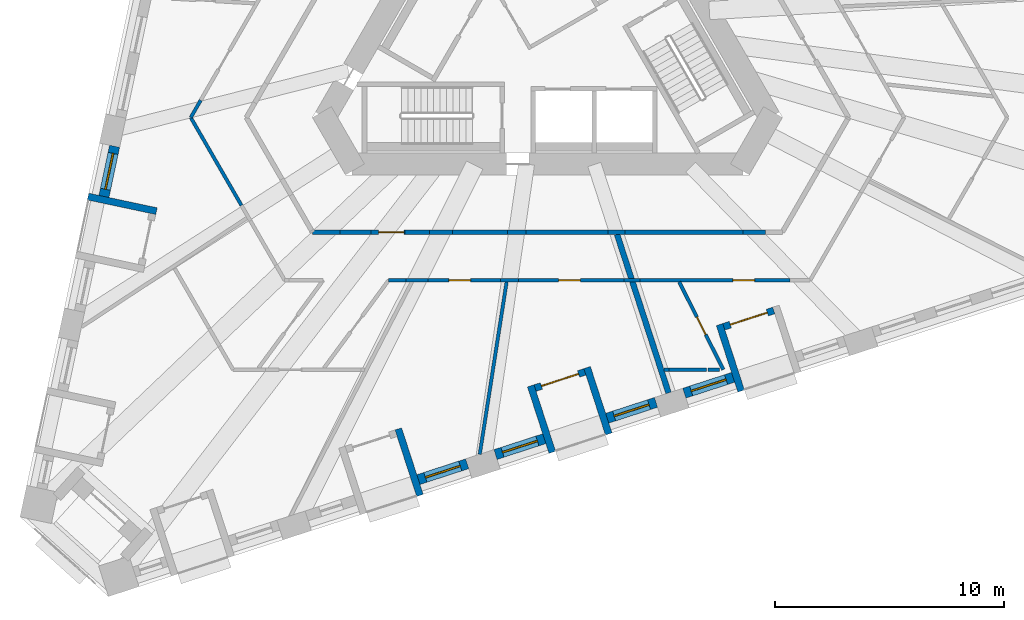
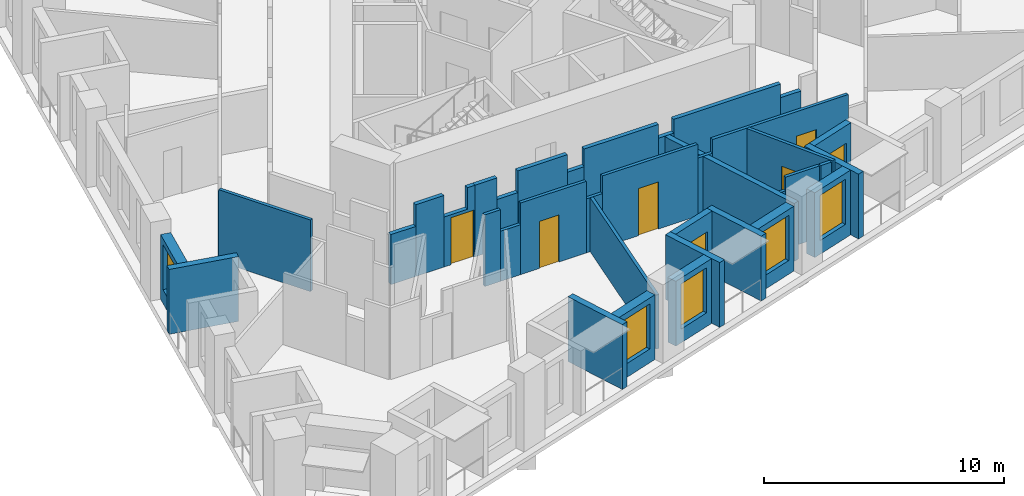
# One storey, part 3 of 12: 38 walls, 7 doors, 5 windows, 12 openings.
"""IFC4 building model written with IfcOpenShell, lengths in metres."""

import ifcopenshell
import ifcopenshell.guid

model = None  # the IFC model being written
_history = None  # IfcOwnerHistory: only IFC2X3 demands one
_inside = {}  # id of a spatial element -> (the spatial element, [elements in it])
_under = {}  # id of a project, library or spatial element -> (it, [spatial elements below it])
_declared = {}  # id of a project -> (the project, [libraries it declares])
_typed = {}  # id of a type object -> (the type object, [elements of that type])
_made_of = {}  # id of a material, layer set ... -> (it, [elements and type objects made of it])


def new_model(schema):
    """Start an empty IFC model of exactly this schema.

    Asked for "IFC4X3", IfcOpenShell would pick the latest addendum, in which some entities
    have other attributes; the version numbers below select the first issue.
    IFC2X3 requires an IfcOwnerHistory on every rooted entity: one is made here for all.
    """
    global model, _history
    if schema == "IFC4X3":
        model = ifcopenshell.file(schema_version=(4, 3, 0, 0))
    else:
        model = ifcopenshell.file(schema=schema)
    _inside.clear()
    _under.clear()
    _declared.clear()
    _typed.clear()
    _made_of.clear()
    _history = None
    if model.schema == "IFC2X3":
        org = make("IfcOrganization", Name="unknown")
        user = make(
            "IfcPersonAndOrganization",
            ThePerson=make("IfcPerson", FamilyName="unknown"),
            TheOrganization=org,
        )
        app = make(
            "IfcApplication",
            ApplicationDeveloper=org,
            Version="unknown",
            ApplicationFullName="unknown",
            ApplicationIdentifier="unknown",
        )
        _history = make(
            "IfcOwnerHistory",
            OwningUser=user,
            OwningApplication=app,
            ChangeAction="ADDED",
            CreationDate=0,
        )
    return model


def make(cls, **values):
    """One entity of the class cls with the attributes given. An attribute that is None is left unset."""
    return model.create_entity(
        cls, **{name: value for name, value in values.items() if value is not None}
    )


def rooted(cls, **values):
    """An entity with a GlobalId (a new one), such as an element, a storey or a relation."""
    return make(cls, GlobalId=ifcopenshell.guid.new(), OwnerHistory=_history, **values)


def si_unit(unit_type, name, prefix=None):
    """IfcSIUnit, for example si_unit("LENGTHUNIT", "METRE", prefix="MILLI")."""
    return make("IfcSIUnit", UnitType=unit_type, Prefix=prefix, Name=name)


def assignment(units):
    """IfcUnitAssignment: the units of a project."""
    return None if units is None else make("IfcUnitAssignment", Units=units)


def point(xyz):
    """IfcCartesianPoint."""
    return None if xyz is None else make("IfcCartesianPoint", Coordinates=xyz)


def direction(xyz):
    """IfcDirection."""
    return None if xyz is None else make("IfcDirection", DirectionRatios=xyz)


def frame(location, z_axis=None, x_axis=None):
    """IfcAxis2Placement3D, a coordinate frame: its origin and axes. An axis left out is left unset."""
    return make(
        "IfcAxis2Placement3D",
        Location=point(location),
        Axis=direction(z_axis),
        RefDirection=direction(x_axis),
    )


def frame_2d(location, x_axis=None):
    """IfcAxis2Placement2D, a coordinate frame in the plane: its origin and x axis."""
    return make(
        "IfcAxis2Placement2D", Location=point(location), RefDirection=direction(x_axis)
    )


def origin():
    """The frame at (0, 0, 0) with its axes left unset."""
    return frame((0.0, 0.0, 0.0))


def place(relative_to, where):
    """IfcLocalPlacement: puts the frame where relative to a parent placement (None: the world)."""
    return make(
        "IfcLocalPlacement", PlacementRelTo=relative_to, RelativePlacement=where
    )


def context(
    kind, dimensions, precision=None, world=None, true_north=None, identifier=None
):
    """IfcGeometricRepresentationContext, for example the 3D "Model" context."""
    return make(
        "IfcGeometricRepresentationContext",
        ContextIdentifier=identifier,
        ContextType=kind,
        CoordinateSpaceDimension=dimensions,
        Precision=precision,
        WorldCoordinateSystem=world,
        TrueNorth=true_north,
    )


def subcontext(parent, identifier, kind, view, scale=None):
    """IfcGeometricRepresentationSubContext, for example "Body" below "Model"."""
    return make(
        "IfcGeometricRepresentationSubContext",
        ContextIdentifier=identifier,
        ContextType=kind,
        ParentContext=parent,
        TargetScale=scale,
        TargetView=view,
    )


def project(units=None, contexts=None):
    """IfcProject with its units and contexts."""
    return rooted(
        "IfcProject",
        Name="project",
        RepresentationContexts=contexts,
        UnitsInContext=assignment(units),
    )


def spatial(cls, under=None, at=None, **own):
    """A site, building, storey or space (cls), placed at a placement, below another one or the project."""
    s = rooted(cls, ObjectPlacement=at, **own)
    if under is not None:
        _under.setdefault(under.id(), (under, []))[1].append(s)
    return s


def polyline(points):
    """IfcPolyline through the points."""
    return make("IfcPolyline", Points=[point(p) for p in points])


def profile(cls, at=None, kind="AREA", **sizes):
    """A parametric profile (cls). Its sizes go by their IFC names, for example OverallWidth=200.0."""
    return make(cls, ProfileType=kind, Position=at, **sizes)


def rectangle(**sizes):
    """IfcRectangleProfileDef."""
    return profile("IfcRectangleProfileDef", **sizes)


def outline(outer, holes=None, kind="AREA"):
    """IfcArbitraryClosedProfileDef: a profile drawn as a closed curve; with holes, ...WithVoids."""
    if holes is None:
        return make("IfcArbitraryClosedProfileDef", ProfileType=kind, OuterCurve=outer)
    return make(
        "IfcArbitraryProfileDefWithVoids",
        ProfileType=kind,
        OuterCurve=outer,
        InnerCurves=holes,
    )


def extrude(swept, where, along, depth):
    """IfcExtrudedAreaSolid: the profile swept, set in the frame where, extruded along a direction by depth."""
    return make(
        "IfcExtrudedAreaSolid",
        SweptArea=swept,
        Position=where,
        ExtrudedDirection=direction(along),
        Depth=depth,
    )


def shape(context_of_items, identifier, shape_type, items):
    """IfcShapeRepresentation: the items that make up one representation, for example the "Body"."""
    return make(
        "IfcShapeRepresentation",
        ContextOfItems=context_of_items,
        RepresentationIdentifier=identifier,
        RepresentationType=shape_type,
        Items=items,
    )


def material(Name=None, Category=None):
    """IfcMaterial."""
    return make("IfcMaterial", Name=Name, Category=Category)


def layer(
    of_material, thickness, ventilated=None, Name=None, Category=None, Priority=None
):
    """IfcMaterialLayer: one layer of a wall or slab, of a material (None: an air gap)."""
    return make(
        "IfcMaterialLayer",
        Material=of_material,
        LayerThickness=thickness,
        IsVentilated=ventilated,
        Name=Name,
        Category=Category,
        Priority=Priority,
    )


def layer_set(layers, Name=None):
    """IfcMaterialLayerSet."""
    return make("IfcMaterialLayerSet", MaterialLayers=layers, LayerSetName=Name)


def made_of(thing, what):
    """Note that an element or type object is made of a material, layer set ...; save() writes the relation."""
    if what is not None:
        _made_of.setdefault(what.id(), (what, []))[1].append(thing)
    return thing


def type_object(cls, material=None, **own):
    """A type object (cls), such as IfcWallType, which elements share."""
    return made_of(rooted(cls, **own), material)


def element(
    cls,
    number,
    at=None,
    inside=None,
    cuts=None,
    type_object=None,
    material=None,
    context=None,
    identifier="Body",
    shape_type=None,
    held_by="IfcProductDefinitionShape",
    body=None,
    shapes=None,
    **own,
):
    """One element of the class cls, such as IfcWall. Its Tag is "e" and its number.

    at: its placement. inside: the storey or other place that contains it. cuts: it is an
    opening in that element (IfcRelVoidsElement). A single representation is given by context,
    identifier, shape_type and body (its items); several are given by shapes. held_by: the class
    of the entity that holds the representations. save() writes the other relations.
    """
    e = rooted(cls, Tag="e%d" % number, ObjectPlacement=at, **own)
    if body is not None:
        shapes = [shape(context, identifier, shape_type, body)]
    if shapes is not None:
        e.Representation = make(held_by, Representations=shapes)
    if inside is not None:
        _inside.setdefault(inside.id(), (inside, []))[1].append(e)
    if cuts is not None:
        rooted(
            "IfcRelVoidsElement", RelatingBuildingElement=cuts, RelatedOpeningElement=e
        )
    if type_object is not None:
        _typed.setdefault(type_object.id(), (type_object, []))[1].append(e)
    return made_of(e, material)


def fill(opening, filler):
    """IfcRelFillsElement: the door or window that sits in an opening."""
    return rooted(
        "IfcRelFillsElement",
        RelatingOpeningElement=opening,
        RelatedBuildingElement=filler,
    )


def aggregate(whole, parts):
    """IfcRelAggregates: a whole, such as a stair, and the parts it consists of."""
    return rooted("IfcRelAggregates", RelatingObject=whole, RelatedObjects=parts)


def save(model, path):
    """Write the relations noted so far, then the file.

    IfcRelAggregates (storeys below a building ...), IfcRelContainedInSpatialStructure (elements
    in a storey), IfcRelDefinesByType, IfcRelAssociatesMaterial and IfcRelDeclares: one each for
    every whole, place, type object, material and project.
    """
    for whole, parts in _under.values():
        aggregate(whole, parts)
    for where, things in _inside.values():
        rooted(
            "IfcRelContainedInSpatialStructure",
            RelatedElements=things,
            RelatingStructure=where,
        )
    for kind, things in _typed.values():
        rooted("IfcRelDefinesByType", RelatedObjects=things, RelatingType=kind)
    for what, things in _made_of.values():
        rooted("IfcRelAssociatesMaterial", RelatedObjects=things, RelatingMaterial=what)
    for by, libraries in _declared.values():
        rooted("IfcRelDeclares", RelatingContext=by, RelatedDefinitions=libraries)
    model.write(path)


model = new_model("IFC4")

# Units and contexts
model_context = context("Model", 3, precision=1e-05, world=origin(), true_north=direction((0.0, 1.0)))
body_context = subcontext(model_context, "Body", "Model", "MODEL_VIEW")
ifc_project = project(units=[si_unit("LENGTHUNIT", "METRE"), si_unit("AREAUNIT", "SQUARE_METRE"), si_unit("VOLUMEUNIT", "CUBIC_METRE"), si_unit("PLANEANGLEUNIT", "RADIAN"), si_unit("MASSUNIT", "GRAM", prefix="KILO")], contexts=[model_context])

# Site, building, storey
site_placement = place(None, origin())
site = spatial("IfcSite", under=ifc_project, at=site_placement, CompositionType="ELEMENT")
building_placement = place(site_placement, origin())
building = spatial("IfcBuilding", under=site, at=building_placement, Name="Tramontana Tower", CompositionType="ELEMENT")
storey_placement = place(building_placement, frame((0.0, 0.0, 92.39990234375)))
storey = spatial("IfcBuildingStorey", under=building, at=storey_placement, Name="L20", CompositionType="ELEMENT", Elevation=92.39990234375)

# Walls
ifc_material_1 = material(Name="Blockwork", Category="masonry")
ifc_layer_1 = layer(ifc_material_1, 0.199951171875)
ifc_layer_set_1 = layer_set([ifc_layer_1], Name="ENTRY WALL 200")
wall_type_1 = type_object("IfcWallType", Name="ENTRY WALL 200", PredefinedType="SOLIDWALL", material=ifc_layer_set_1)
wall_1_placement = place(storey_placement, frame((9.50439453125, -9.25, 0.0), z_axis=(0.0, 0.0, 1.0), x_axis=(-1.0, 0.0, 0.0)))
element("IfcWall", 1, at=wall_1_placement, inside=storey, type_object=wall_type_1, Name="Wall v20-ew2-1", PredefinedType="SOLIDWALL", context=body_context, shape_type="SweptSolid", body=[
    extrude(rectangle(XDim=0.9775390625, YDim=0.199951171875, at=frame_2d((0.48876953125, 0.0))), origin(), (0.0, 0.0, 1.0), 2.9501953125),
])
wall_2_placement = place(storey_placement, frame((8.52685546875, -9.25, 0.0), z_axis=(0.0, 0.0, 1.0), x_axis=(-1.0, 0.0, 0.0)))
element("IfcWall", 2, at=wall_2_placement, inside=storey, type_object=wall_type_1, Name="Wall v20-ew2-2", PredefinedType="SOLIDWALL", context=body_context, shape_type="SweptSolid", body=[
    extrude(rectangle(XDim=5.1533203125, YDim=0.199951171875, at=frame_2d((2.57666015625, 0.0))), origin(), (0.0, 0.0, 1.0), 3.650146484375),
])
wall_3_placement = place(storey_placement, frame((3.37353515625, -9.25, 0.0), z_axis=(0.0, 0.0, 1.0), x_axis=(-1.0, 0.0, 0.0)))
element("IfcWall", 3, at=wall_3_placement, inside=storey, type_object=wall_type_1, Name="Wall v20-ew2-3", PredefinedType="SOLIDWALL", context=body_context, shape_type="SweptSolid", body=[
    extrude(rectangle(XDim=0.736083984375, YDim=0.199951171875, at=frame_2d((0.3681640625, 0.0))), origin(), (0.0, 0.0, 1.0), 2.9501953125),
])
wall_4_placement = place(storey_placement, frame((2.637451171875, -9.25, 0.0), z_axis=(0.0, 0.0, 1.0), x_axis=(-1.0, 0.0, 0.0)))
element("IfcWall", 4, at=wall_4_placement, inside=storey, type_object=wall_type_1, Name="Wall v20-ew2-4", PredefinedType="SOLIDWALL", context=body_context, shape_type="SweptSolid", body=[
    extrude(rectangle(XDim=3.576904296875, YDim=0.199951171875, at=frame_2d((1.78857421875, 0.0))), origin(), (0.0, 0.0, 1.0), 3.650146484375),
])
wall_5_placement = place(storey_placement, frame((-0.939453125, -9.25, 0.0), z_axis=(0.0, 0.0, 1.0), x_axis=(-1.0, 0.0, 0.0)))
element("IfcWall", 5, at=wall_5_placement, inside=storey, type_object=wall_type_1, Name="Wall v20-ew2-5", PredefinedType="SOLIDWALL", context=body_context, shape_type="SweptSolid", body=[
    extrude(rectangle(XDim=0.808349609375, YDim=0.199951171875, at=frame_2d((0.404296875, 0.0))), origin(), (0.0, 0.0, 1.0), 2.75),
])
wall_6_placement = place(storey_placement, frame((-1.747802734375, -9.25, 0.0), z_axis=(0.0, 0.0, 1.0), x_axis=(-1.0, 0.0, 0.0)))
element("IfcWall", 6, at=wall_6_placement, inside=storey, type_object=wall_type_1, Name="Wall v20-ew2-6", PredefinedType="SOLIDWALL", context=body_context, shape_type="SweptSolid", body=[
    extrude(rectangle(XDim=2.385498046875, YDim=0.199951171875, at=frame_2d((1.19287109375, 0.0))), origin(), (0.0, 0.0, 1.0), 3.650146484375),
])
wall_7_placement = place(storey_placement, frame((-4.13330078125, -9.25, 0.0), z_axis=(0.0, 0.0, 1.0), x_axis=(-1.0, 0.0, 0.0)))
element("IfcWall", 7, at=wall_7_placement, inside=storey, type_object=wall_type_1, Name="Wall v20-ew2-7", PredefinedType="SOLIDWALL", context=body_context, shape_type="SweptSolid", body=[
    extrude(rectangle(XDim=1.0068359375, YDim=0.199951171875, at=frame_2d((0.50341796875, 0.0))), origin(), (0.0, 0.0, 1.0), 2.550048828125),
])
wall_8_placement = place(storey_placement, frame((-5.14013671875, -9.25, 0.0), z_axis=(0.0, 0.0, 1.0), x_axis=(-1.0, 0.0, 0.0)))
element("IfcWall", 8, at=wall_8_placement, inside=storey, type_object=wall_type_1, Name="Wall v20-ew2-8", PredefinedType="SOLIDWALL", context=body_context, shape_type="SweptSolid", body=[
    extrude(rectangle(XDim=1.069580078125, YDim=0.199951171875, at=frame_2d((0.53466796875, 0.0))), origin(), (0.0, 0.0, 1.0), 3.650146484375),
])

# Wall, opening, door
wall_9_placement = place(storey_placement, frame((-7.695556640625, -9.25, 0.0), z_axis=(0.0, 0.0, 1.0), x_axis=(1.0, 0.0, 0.0)))
wall_9 = element("IfcWall", 9, at=wall_9_placement, inside=storey, type_object=wall_type_1, Name="Wall v20-ew2-9", PredefinedType="SOLIDWALL", context=body_context, shape_type="SweptSolid", body=[
    extrude(outline(polyline([(0.0, 0.0), (1.48583984375, 0.0), (1.48583984375, 3.650146484375), (1.13623046875, 3.650146484375), (1.13623046875, 2.550048828125), (0.0, 2.550048828125), (0.0, 0.0)])), frame((0.0, 0.10009765625, 0.0), z_axis=(0.0, -1.0, 0.0), x_axis=(1.0, 0.0, 0.0)), (0.0, 0.0, 1.0), 0.199951171875),
])
opening_1_placement = place(wall_9_placement, frame((0.3359375, 0.0, 0.0)))
opening_1 = element("IfcOpeningElement", 10, at=opening_1_placement, cuts=wall_9, Name="Opening B2A-23", PredefinedType="OPENING", context=body_context, shape_type="SweptSolid", body=[
    extrude(rectangle(XDim=1.10009765625, YDim=2.39990234375, at=frame_2d((0.550048828125, 1.199951171875))), frame((0.0, 0.10986328125, 0.0), z_axis=(0.0, -1.0, 0.0), x_axis=(1.0, 0.0, 0.0)), (0.0, 0.0, 1.0), 0.219970703125),
])
ifc_material_2 = material(Name="Painted timber", Category="wood")
door_type_1 = type_object("IfcDoorType", Name="DOOR ENTRY 1100", OperationType="SINGLE_SWING_LEFT", PredefinedType="DOOR", material=ifc_material_2)
door_1_placement = place(opening_1_placement, origin())
door_1 = element("IfcDoor", 11, at=door_1_placement, inside=storey, type_object=door_type_1, Name="Door B2A-23", OperationType="SINGLE_SWING_LEFT", OverallHeight=2.39990234375, OverallWidth=1.10009765625, PredefinedType="DOOR", context=body_context, shape_type="SweptSolid", body=[
    extrude(rectangle(XDim=1.10009765625, YDim=2.39990234375, at=frame_2d((0.550048828125, 1.199951171875))), frame((0.0, 0.02490234375, 0.0), z_axis=(0.0, -1.0, 0.0), x_axis=(1.0, 0.0, 0.0)), (0.0, 0.0, 1.0), 0.050048828125),
])
fill(opening_1, door_1)

# Walls
wall_10_placement = place(storey_placement, frame((-7.695556640625, -9.25, 0.0), z_axis=(0.0, 0.0, 1.0), x_axis=(-1.0, 0.0, 0.0)))
element("IfcWall", 12, at=wall_10_placement, inside=storey, type_object=wall_type_1, Name="Wall v20-ew2-10", PredefinedType="SOLIDWALL", context=body_context, shape_type="SweptSolid", body=[
    extrude(rectangle(XDim=1.3603515625, YDim=0.199951171875, at=frame_2d((0.68017578125, 0.0))), origin(), (0.0, 0.0, 1.0), 3.650146484375),
])
wall_11_placement = place(storey_placement, frame((-9.055908203125, -9.25, 0.0), z_axis=(0.0, 0.0, 1.0), x_axis=(-1.0, 0.0, 0.0)))
element("IfcWall", 13, at=wall_11_placement, inside=storey, type_object=wall_type_1, Name="Wall v20-ew2-11", PredefinedType="SOLIDWALL", context=body_context, shape_type="SweptSolid", body=[
    extrude(rectangle(XDim=1.192138671875, YDim=0.199951171875, at=frame_2d((0.59619140625, 0.0))), origin(), (0.0, 0.0, 1.0), 2.550048828125),
])

# Wall, opening, window
ifc_material_3 = material(Name="Precast concrete 60 MPa", Category="concrete")
ifc_layer_2 = layer(ifc_material_3, 0.449951171875)
ifc_layer_set_2 = layer_set([ifc_layer_2], Name="Precast concrete 60 MPa, 450 mm")
wall_type_2 = type_object("IfcWallType", Name="EW1 Stone-faced precast wall 450", PredefinedType="SOLIDWALL", material=ifc_layer_set_2)
wall_12_placement = place(storey_placement, frame((-18.882080078125, -5.504638671875, 0.0), z_axis=(0.0, 0.0, 1.0), x_axis=(-0.207918801611, -0.978146089261, 0.0)))
wall_12 = element("IfcWall", 14, at=wall_12_placement, inside=storey, type_object=wall_type_2, Name="External wall L20 face 0 bay 5", PredefinedType="SOLIDWALL", context=body_context, shape_type="SweptSolid", body=[
    extrude(rectangle(XDim=2.23681640625, YDim=0.449951171875, at=frame_2d((1.118408203125, 0.0))), origin(), (0.0, 0.0, 1.0), 3.300048828125),
])
opening_2_placement = place(wall_12_placement, frame((0.318359375, 0.0, 0.699951171875)))
opening_2 = element("IfcOpeningElement", 15, at=opening_2_placement, cuts=wall_12, Name="Opening M1", PredefinedType="OPENING", context=body_context, shape_type="SweptSolid", body=[
    extrude(rectangle(XDim=1.60009765625, YDim=2.300048828125, at=frame_2d((0.800048828125, 1.14990234375))), frame((0.0, 0.23486328125, 0.0), z_axis=(0.0, -1.0, 0.0), x_axis=(1.0, 0.0, 0.0)), (0.0, 0.0, 1.0), 0.469970703125),
])
ifc_material_4 = material(Name="Aluminum frame, double glazing unit", Category="aluminium")
window_type = type_object("IfcWindowType", Name="M1 Window 1.6 x 2.3", PartitioningType="SINGLE_PANEL", PredefinedType="WINDOW", material=ifc_material_4)
window_1_placement = place(opening_2_placement, origin())
window_1 = element("IfcWindow", 16, at=window_1_placement, inside=storey, type_object=window_type, Name="Window M1 L20 face 0 module 13", OverallHeight=2.300048828125, OverallWidth=1.60009765625, PartitioningType="SINGLE_PANEL", PredefinedType="WINDOW", context=body_context, shape_type="SweptSolid", body=[
    extrude(rectangle(XDim=1.60009765625, YDim=2.300048828125, at=frame_2d((0.800048828125, 1.14990234375))), frame((0.0, 0.030029296875, 0.0), z_axis=(0.0, -1.0, 0.0), x_axis=(1.0, 0.0, 0.0)), (0.0, 0.0, 1.0), 0.06005859375),
])
fill(opening_2, window_1)

wall_13_placement = place(storey_placement, frame((-5.628173828125, -20.045166015625, 0.0), z_axis=(0.0, 0.0, 1.0), x_axis=(0.951057328329, 0.30901449518, 0.0)))
wall_13 = element("IfcWall", 17, at=wall_13_placement, inside=storey, type_object=wall_type_2, Name="External wall L20 face 1 bay 2", PredefinedType="SOLIDWALL", context=body_context, shape_type="SweptSolid", body=[
    extrude(rectangle(XDim=2.236572265625, YDim=0.449951171875, at=frame_2d((1.1181640625, 0.0))), origin(), (0.0, 0.0, 1.0), 3.300048828125),
])
opening_3_placement = place(wall_13_placement, frame((0.318359375, 0.0, 0.699951171875)))
opening_3 = element("IfcOpeningElement", 18, at=opening_3_placement, cuts=wall_13, Name="Opening M1", PredefinedType="OPENING", context=body_context, shape_type="SweptSolid", body=[
    extrude(rectangle(XDim=1.60009765625, YDim=2.300048828125, at=frame_2d((0.800048828125, 1.14990234375))), frame((0.0, 0.23486328125, 0.0), z_axis=(0.0, -1.0, 0.0), x_axis=(1.0, 0.0, 0.0)), (0.0, 0.0, 1.0), 0.469970703125),
])
window_2_placement = place(opening_3_placement, origin())
window_2 = element("IfcWindow", 19, at=window_2_placement, inside=storey, type_object=window_type, Name="Window M1 L20 face 1 module 6", OverallHeight=2.300048828125, OverallWidth=1.60009765625, PartitioningType="SINGLE_PANEL", PredefinedType="WINDOW", context=body_context, shape_type="SweptSolid", body=[
    extrude(rectangle(XDim=1.60009765625, YDim=2.300048828125, at=frame_2d((0.800048828125, 1.14990234375))), frame((0.0, 0.030029296875, 0.0), z_axis=(0.0, -1.0, 0.0), x_axis=(1.0, 0.0, 0.0)), (0.0, 0.0, 1.0), 0.06005859375),
])
fill(opening_3, window_2)

wall_14_placement = place(storey_placement, frame((-2.264404296875, -18.952392578125, 0.0), z_axis=(0.0, 0.0, 1.0), x_axis=(0.951057328329, 0.30901449518, 0.0)))
wall_14 = element("IfcWall", 20, at=wall_14_placement, inside=storey, type_object=wall_type_2, Name="External wall L20 face 1 bay 3", PredefinedType="SOLIDWALL", context=body_context, shape_type="SweptSolid", body=[
    extrude(rectangle(XDim=2.236572265625, YDim=0.449951171875, at=frame_2d((1.1181640625, 0.0))), origin(), (0.0, 0.0, 1.0), 3.300048828125),
])
opening_4_placement = place(wall_14_placement, frame((0.318359375, 0.0, 0.699951171875)))
opening_4 = element("IfcOpeningElement", 21, at=opening_4_placement, cuts=wall_14, Name="Opening M1", PredefinedType="OPENING", context=body_context, shape_type="SweptSolid", body=[
    extrude(rectangle(XDim=1.60009765625, YDim=2.300048828125, at=frame_2d((0.800048828125, 1.14990234375))), frame((0.0, 0.23486328125, 0.0), z_axis=(0.0, -1.0, 0.0), x_axis=(1.0, 0.0, 0.0)), (0.0, 0.0, 1.0), 0.469970703125),
])
window_3_placement = place(opening_4_placement, origin())
window_3 = element("IfcWindow", 22, at=window_3_placement, inside=storey, type_object=window_type, Name="Window M1 L20 face 1 module 7", OverallHeight=2.300048828125, OverallWidth=1.60009765625, PartitioningType="SINGLE_PANEL", PredefinedType="WINDOW", context=body_context, shape_type="SweptSolid", body=[
    extrude(rectangle(XDim=1.60009765625, YDim=2.300048828125, at=frame_2d((0.800048828125, 1.14990234375))), frame((0.0, 0.030029296875, 0.0), z_axis=(0.0, -1.0, 0.0), x_axis=(1.0, 0.0, 0.0)), (0.0, 0.0, 1.0), 0.06005859375),
])
fill(opening_4, window_3)

wall_15_placement = place(storey_placement, frame((2.608154296875, -17.369140625, 0.0), z_axis=(0.0, 0.0, 1.0), x_axis=(0.951067749801, 0.30898241906, 0.0)))
wall_15 = element("IfcWall", 23, at=wall_15_placement, inside=storey, type_object=wall_type_2, Name="External wall L20 face 1 bay 3", PredefinedType="SOLIDWALL", context=body_context, shape_type="SweptSolid", body=[
    extrude(rectangle(XDim=2.23681640625, YDim=0.449951171875, at=frame_2d((1.118408203125, 0.0))), origin(), (0.0, 0.0, 1.0), 3.300048828125),
])
opening_5_placement = place(wall_15_placement, frame((0.318359375, 0.0, 0.699951171875)))
opening_5 = element("IfcOpeningElement", 24, at=opening_5_placement, cuts=wall_15, Name="Opening M1", PredefinedType="OPENING", context=body_context, shape_type="SweptSolid", body=[
    extrude(rectangle(XDim=1.60009765625, YDim=2.300048828125, at=frame_2d((0.800048828125, 1.14990234375))), frame((0.0, 0.23486328125, 0.0), z_axis=(0.0, -1.0, 0.0), x_axis=(1.0, 0.0, 0.0)), (0.0, 0.0, 1.0), 0.469970703125),
])
window_4_placement = place(opening_5_placement, origin())
window_4 = element("IfcWindow", 25, at=window_4_placement, inside=storey, type_object=window_type, Name="Window M1 L20 face 1 module 9", OverallHeight=2.300048828125, OverallWidth=1.60009765625, PartitioningType="SINGLE_PANEL", PredefinedType="WINDOW", context=body_context, shape_type="SweptSolid", body=[
    extrude(rectangle(XDim=1.60009765625, YDim=2.300048828125, at=frame_2d((0.800048828125, 1.14990234375))), frame((0.0, 0.030029296875, 0.0), z_axis=(0.0, -1.0, 0.0), x_axis=(1.0, 0.0, 0.0)), (0.0, 0.0, 1.0), 0.06005859375),
])
fill(opening_5, window_4)

wall_16_placement = place(storey_placement, frame((5.971923828125, -16.276123046875, 0.0), z_axis=(0.0, 0.0, 1.0), x_axis=(0.951057328329, 0.30901449518, 0.0)))
wall_16 = element("IfcWall", 26, at=wall_16_placement, inside=storey, type_object=wall_type_2, Name="External wall L20 face 1 bay 4", PredefinedType="SOLIDWALL", context=body_context, shape_type="SweptSolid", body=[
    extrude(rectangle(XDim=2.236572265625, YDim=0.449951171875, at=frame_2d((1.1181640625, 0.0))), origin(), (0.0, 0.0, 1.0), 3.300048828125),
])
opening_6_placement = place(wall_16_placement, frame((0.318359375, 0.0, 0.699951171875)))
opening_6 = element("IfcOpeningElement", 27, at=opening_6_placement, cuts=wall_16, Name="Opening M1", PredefinedType="OPENING", context=body_context, shape_type="SweptSolid", body=[
    extrude(rectangle(XDim=1.60009765625, YDim=2.300048828125, at=frame_2d((0.800048828125, 1.14990234375))), frame((0.0, 0.23486328125, 0.0), z_axis=(0.0, -1.0, 0.0), x_axis=(1.0, 0.0, 0.0)), (0.0, 0.0, 1.0), 0.469970703125),
])
window_5_placement = place(opening_6_placement, origin())
window_5 = element("IfcWindow", 28, at=window_5_placement, inside=storey, type_object=window_type, Name="Window M1 L20 face 1 module 10", OverallHeight=2.300048828125, OverallWidth=1.60009765625, PartitioningType="SINGLE_PANEL", PredefinedType="WINDOW", context=body_context, shape_type="SweptSolid", body=[
    extrude(rectangle(XDim=1.60009765625, YDim=2.300048828125, at=frame_2d((0.800048828125, 1.14990234375))), frame((0.0, 0.030029296875, 0.0), z_axis=(0.0, -1.0, 0.0), x_axis=(1.0, 0.0, 0.0)), (0.0, 0.0, 1.0), 0.06005859375),
])
fill(opening_6, window_5)

# Walls
ifc_material_5 = material(Name="Precast concrete 60 MPa", Category="concrete")
ifc_layer_3 = layer(ifc_material_5, 0.300048828125)
ifc_layer_set_3 = layer_set([ifc_layer_3], Name="LW1 Stone-faced loggia wall 300")
wall_type_3 = type_object("IfcWallType", Name="LW1 Stone-faced loggia wall 300", PredefinedType="SOLIDWALL", material=ifc_layer_set_3)
for number, where, z_axis, x_axis, name in (
    (29, (-20.03857421875, -7.698974609375, 0.0), (0.0, 0.0, 1.0), (0.978154782045, -0.207877902534, 0.0), "Loggia return L20 G2S0.13a"),
    (30, (-5.562255859375, -20.733642578125, 0.0), (0.0, 0.0, 1.0), (-0.308966615996, 0.951072883748, 0.0), "Loggia return L20 G2S1.4b"),
):
    element("IfcWall", number, at=place(storey_placement, frame(where, z_axis=z_axis, x_axis=x_axis)), inside=storey, type_object=wall_type_3, Name=name, PredefinedType="SOLIDWALL", context=body_context, shape_type="SweptSolid", body=[
        extrude(rectangle(XDim=3.050048828125, YDim=0.300048828125, at=frame_2d((1.52490234375, 0.0))), origin(), (0.0, 0.0, 1.0), 3.300048828125),
    ])

# Wall, opening, door
wall_17_placement = place(storey_placement, frame((-0.53955078125, -16.05224609375, 0.0), z_axis=(0.0, 0.0, 1.0), x_axis=(0.951078776318, 0.308948476671, 0.0)))
wall_17 = element("IfcWall", 31, at=wall_17_placement, inside=storey, type_object=wall_type_3, Name="Loggia wall L20 G2S1.7", PredefinedType="SOLIDWALL", context=body_context, shape_type="SweptSolid", body=[
    extrude(rectangle(XDim=2.286865234375, YDim=0.300048828125, at=frame_2d((1.1435546875, 0.0))), origin(), (0.0, 0.0, 1.0), 3.300048828125),
])
opening_7_placement = place(wall_17_placement, frame((0.29345703125, 0.0, 0.0)))
opening_7 = element("IfcOpeningElement", 32, at=opening_7_placement, cuts=wall_17, Name="Opening BD-2S1-07", PredefinedType="OPENING", context=body_context, shape_type="SweptSolid", body=[
    extrude(rectangle(XDim=1.699951171875, YDim=2.39990234375, at=frame_2d((0.85009765625, 1.199951171875))), frame((0.0, 0.159912109375, 0.0), z_axis=(0.0, -1.0, 0.0), x_axis=(1.0, 0.0, 0.0)), (0.0, 0.0, 1.0), 0.320068359375),
])
ifc_material_6 = material(Name="Aluminum frame, double glazing unit", Category="aluminium")
door_type_2 = type_object("IfcDoorType", Name="BD1 Sliding door 1.7 x 2.4", OperationType="SLIDING_TO_LEFT", PredefinedType="DOOR", material=ifc_material_6)
door_2_placement = place(opening_7_placement, origin())
door_2 = element("IfcDoor", 33, at=door_2_placement, inside=storey, type_object=door_type_2, Name="Loggia door L20 G2S1.7", OperationType="SLIDING_TO_LEFT", OverallHeight=2.39990234375, OverallWidth=1.699951171875, PredefinedType="DOOR", context=body_context, shape_type="SweptSolid", body=[
    extrude(rectangle(XDim=1.699951171875, YDim=2.39990234375, at=frame_2d((0.85009765625, 1.199951171875))), frame((0.0, 0.02490234375, 0.0), z_axis=(0.0, -1.0, 0.0), x_axis=(1.0, 0.0, 0.0)), (0.0, 0.0, 1.0), 0.050048828125),
])
fill(opening_7, door_2)

# Walls
wall_18_placement = place(storey_placement, frame((0.214111328125, -18.856689453125, 0.0), z_axis=(0.0, 0.0, 1.0), x_axis=(-0.309062542235, 0.951041715693, 0.0)))
element("IfcWall", 34, at=wall_18_placement, inside=storey, type_object=wall_type_3, Name="Loggia return L20 G2S1.7a", PredefinedType="SOLIDWALL", context=body_context, shape_type="SweptSolid", body=[
    extrude(rectangle(XDim=3.050048828125, YDim=0.300048828125, at=frame_2d((1.52490234375, 0.0))), origin(), (0.0, 0.0, 1.0), 3.300048828125),
])
wall_19_placement = place(storey_placement, frame((2.674072265625, -18.057373046875, 0.0), z_axis=(0.0, 0.0, 1.0), x_axis=(-0.308990138358, 0.951065241925, 0.0)))
element("IfcWall", 35, at=wall_19_placement, inside=storey, type_object=wall_type_3, Name="Loggia return L20 G2S1.7b", PredefinedType="SOLIDWALL", context=body_context, shape_type="SweptSolid", body=[
    extrude(rectangle(XDim=3.0498046875, YDim=0.300048828125, at=frame_2d((1.52490234375, 0.0))), origin(), (0.0, 0.0, 1.0), 3.300048828125),
])

# Wall, opening, door
wall_20_placement = place(storey_placement, frame((7.697021484375, -13.376220703125, 0.0), z_axis=(0.0, 0.0, 1.0), x_axis=(0.95103720697, 0.309076416051, 0.0)))
wall_20 = element("IfcWall", 36, at=wall_20_placement, inside=storey, type_object=wall_type_3, Name="Loggia wall L20 G2S1.10", PredefinedType="SOLIDWALL", context=body_context, shape_type="SweptSolid", body=[
    extrude(rectangle(XDim=2.286865234375, YDim=0.300048828125, at=frame_2d((1.1435546875, 0.0))), origin(), (0.0, 0.0, 1.0), 3.300048828125),
])
opening_8_placement = place(wall_20_placement, frame((0.29345703125, 0.0, 0.0)))
opening_8 = element("IfcOpeningElement", 37, at=opening_8_placement, cuts=wall_20, Name="Opening BD-2S1-10", PredefinedType="OPENING", context=body_context, shape_type="SweptSolid", body=[
    extrude(rectangle(XDim=1.699951171875, YDim=2.39990234375, at=frame_2d((0.85009765625, 1.199951171875))), frame((0.0, 0.159912109375, 0.0), z_axis=(0.0, -1.0, 0.0), x_axis=(1.0, 0.0, 0.0)), (0.0, 0.0, 1.0), 0.320068359375),
])
door_3_placement = place(opening_8_placement, origin())
door_3 = element("IfcDoor", 38, at=door_3_placement, inside=storey, type_object=door_type_2, Name="Loggia door L20 G2S1.10", OperationType="SLIDING_TO_LEFT", OverallHeight=2.39990234375, OverallWidth=1.699951171875, PredefinedType="DOOR", context=body_context, shape_type="SweptSolid", body=[
    extrude(rectangle(XDim=1.699951171875, YDim=2.39990234375, at=frame_2d((0.85009765625, 1.199951171875))), frame((0.0, 0.02490234375, 0.0), z_axis=(0.0, -1.0, 0.0), x_axis=(1.0, 0.0, 0.0)), (0.0, 0.0, 1.0), 0.050048828125),
])
fill(opening_8, door_3)

# Walls
wall_21_placement = place(storey_placement, frame((8.450439453125, -16.1806640625, 0.0), z_axis=(0.0, 0.0, 1.0), x_axis=(-0.309039015525, 0.951049360908, 0.0)))
element("IfcWall", 39, at=wall_21_placement, inside=storey, type_object=wall_type_3, Name="Loggia return L20 G2S1.10a", PredefinedType="SOLIDWALL", context=body_context, shape_type="SweptSolid", body=[
    extrude(rectangle(XDim=3.05029296875, YDim=0.300048828125, at=frame_2d((1.525146484375, 0.0))), origin(), (0.0, 0.0, 1.0), 3.300048828125),
])
ifc_material_7 = material(Name="Gypsum board partition")
ifc_layer_4 = layer(ifc_material_7, 0.14990234375)
ifc_layer_set_4 = layer_set([ifc_layer_4], Name="PARTITION 150")
wall_type_4 = type_object("IfcWallType", Name="PARTITION 150", PredefinedType="PARTITIONING", material=ifc_layer_set_4)
wall_22_placement = place(storey_placement, frame((-15.5595703125, -4.25, 0.0), z_axis=(0.0, 0.0, 1.0), x_axis=(0.499884524299, 0.866092063448, 0.0)))
element("IfcWall", 40, at=wall_22_placement, inside=storey, type_object=wall_type_4, Name="Wall v20-pw02-0", PredefinedType="PARTITIONING", context=body_context, shape_type="SweptSolid", body=[
    extrude(rectangle(XDim=0.869384765625, YDim=0.14990234375, at=frame_2d((0.4345703125, 0.0))), origin(), (0.0, 0.0, 1.0), 2.9501953125),
])
wall_23_placement = place(storey_placement, frame((-13.3466796875, -8.0830078125, 0.0), z_axis=(0.0, 0.0, 1.0), x_axis=(-0.499983483481, 0.866034939391, 0.0)))
element("IfcWall", 41, at=wall_23_placement, inside=storey, type_object=wall_type_4, Name="Wall v20-pw06-3", PredefinedType="PARTITIONING", context=body_context, shape_type="SweptSolid", body=[
    extrude(rectangle(XDim=4.426025390625, YDim=0.14990234375, at=frame_2d((2.212890625, 0.0))), origin(), (0.0, 0.0, 1.0), 3.650146484375),
])
wall_24_placement = place(storey_placement, frame((-1.781005859375, -11.425048828125, 0.0), z_axis=(0.0, 0.0, 1.0), x_axis=(-0.153998853513, -0.988071026352, 0.0)))
element("IfcWall", 42, at=wall_24_placement, inside=storey, type_object=wall_type_4, Name="Wall v20-pw20-0", PredefinedType="PARTITIONING", context=body_context, shape_type="SweptSolid", body=[
    extrude(rectangle(XDim=7.60498046875, YDim=0.14990234375, at=frame_2d((3.802490234375, 0.0))), origin(), (0.0, 0.0, 1.0), 2.75),
])

# Wall, opening, door
wall_25_placement = place(storey_placement, frame((7.6748046875, -15.25, 0.0), z_axis=(0.0, 0.0, 1.0), x_axis=(-0.449561059641, 0.893249603221, 0.0)))
wall_25 = element("IfcWall", 43, at=wall_25_placement, inside=storey, type_object=wall_type_4, Name="Wall v20-pw24", PredefinedType="PARTITIONING", context=body_context, shape_type="SweptSolid", body=[
    extrude(rectangle(XDim=4.281982421875, YDim=0.14990234375, at=frame_2d((2.14111328125, 0.0))), origin(), (0.0, 0.0, 1.0), 3.650146484375),
])
opening_9_placement = place(wall_25_placement, frame((1.716064453125, 0.0, 0.0)))
opening_9 = element("IfcOpeningElement", 44, at=opening_9_placement, cuts=wall_25, Name="Opening B2A-20", PredefinedType="OPENING", context=body_context, shape_type="SweptSolid", body=[
    extrude(rectangle(XDim=0.85009765625, YDim=2.39990234375, at=frame_2d((0.425048828125, 1.199951171875))), frame((0.0, 0.0849609375, 0.0), z_axis=(0.0, -1.0, 0.0), x_axis=(1.0, 0.0, 0.0)), (0.0, 0.0, 1.0), 0.169921875),
])
ifc_material_8 = material(Name="Painted timber", Category="wood")
door_type_3 = type_object("IfcDoorType", Name="DOOR BATH 850", OperationType="SINGLE_SWING_LEFT", PredefinedType="DOOR", material=ifc_material_8)
door_4_placement = place(opening_9_placement, origin())
door_4 = element("IfcDoor", 45, at=door_4_placement, inside=storey, type_object=door_type_3, Name="Door B2A-20", OperationType="SINGLE_SWING_RIGHT", OverallHeight=2.39990234375, OverallWidth=0.85009765625, PredefinedType="DOOR", context=body_context, shape_type="SweptSolid", body=[
    extrude(rectangle(XDim=0.85009765625, YDim=2.39990234375, at=frame_2d((0.425048828125, 1.199951171875))), frame((0.0, 0.02490234375, 0.0), z_axis=(0.0, -1.0, 0.0), x_axis=(1.0, 0.0, 0.0)), (0.0, 0.0, 1.0), 0.050048828125),
])
fill(opening_9, door_4)

# Walls
wall_26_placement = place(storey_placement, frame((6.9404296875, -15.25, 0.0), z_axis=(0.0, 0.0, 1.0), x_axis=(-1.0, 0.0, 0.0)))
element("IfcWall", 46, at=wall_26_placement, inside=storey, type_object=wall_type_4, Name="Wall v20-pw25-0", PredefinedType="PARTITIONING", context=body_context, shape_type="SweptSolid", body=[
    extrude(rectangle(XDim=1.630615234375, YDim=0.14990234375, at=frame_2d((0.8154296875, 0.0))), origin(), (0.0, 0.0, 1.0), 3.650146484375),
])
wall_27_placement = place(storey_placement, frame((5.309814453125, -15.25, 0.0), z_axis=(0.0, 0.0, 1.0), x_axis=(-1.0, 0.0, 0.0)))
element("IfcWall", 47, at=wall_27_placement, inside=storey, type_object=wall_type_4, Name="Wall v20-pw25-1", PredefinedType="PARTITIONING", context=body_context, shape_type="SweptSolid", body=[
    extrude(rectangle(XDim=0.223388671875, YDim=0.14990234375, at=frame_2d((0.11181640625, 0.0))), origin(), (0.0, 0.0, 1.0), 2.9501953125),
])
wall_28_placement = place(storey_placement, frame((7.512451171875, -15.25, 0.0), z_axis=(0.0, 0.0, 1.0), x_axis=(-1.0, 0.0, 0.0)))
element("IfcWall", 48, at=wall_28_placement, inside=storey, type_object=wall_type_4, Name="Wall v20-pw27", PredefinedType="PARTITIONING", context=body_context, shape_type="SweptSolid", body=[
    extrude(rectangle(XDim=0.502197265625, YDim=0.14990234375, at=frame_2d((0.2509765625, 0.0))), origin(), (0.0, 0.0, 1.0), 3.650146484375),
])

# Wall, opening, door
wall_29_placement = place(storey_placement, frame((10.591064453125, -11.35009765625, 0.0), z_axis=(0.0, 0.0, 1.0), x_axis=(-1.0, 0.0, 0.0)))
wall_29 = element("IfcWall", 49, at=wall_29_placement, inside=storey, type_object=wall_type_4, Name="Wall v20-pw32-1", PredefinedType="PARTITIONING", context=body_context, shape_type="SweptSolid", body=[
    extrude(rectangle(XDim=6.54833984375, YDim=0.14990234375, at=frame_2d((3.274169921875, 0.0))), origin(), (0.0, 0.0, 1.0), 3.650146484375),
])
opening_10_placement = place(wall_29_placement, frame((1.55126953125, 0.0, 0.0)))
opening_10 = element("IfcOpeningElement", 50, at=opening_10_placement, cuts=wall_29, Name="Opening B2A-17", PredefinedType="OPENING", context=body_context, shape_type="SweptSolid", body=[
    extrude(rectangle(XDim=0.949951171875, YDim=2.39990234375, at=frame_2d((0.47509765625, 1.199951171875))), frame((0.0, 0.0849609375, 0.0), z_axis=(0.0, -1.0, 0.0), x_axis=(1.0, 0.0, 0.0)), (0.0, 0.0, 1.0), 0.169921875),
])
ifc_material_9 = material(Name="Painted timber", Category="wood")
door_type_4 = type_object("IfcDoorType", Name="DOOR ROOM 950", OperationType="SINGLE_SWING_LEFT", PredefinedType="DOOR", material=ifc_material_9)
door_5_placement = place(opening_10_placement, origin())
door_5 = element("IfcDoor", 51, at=door_5_placement, inside=storey, type_object=door_type_4, Name="Door B2A-17", OperationType="SINGLE_SWING_LEFT", OverallHeight=2.39990234375, OverallWidth=0.949951171875, PredefinedType="DOOR", context=body_context, shape_type="SweptSolid", body=[
    extrude(rectangle(XDim=0.949951171875, YDim=2.39990234375, at=frame_2d((0.47509765625, 1.199951171875))), frame((0.0, 0.02490234375, 0.0), z_axis=(0.0, -1.0, 0.0), x_axis=(1.0, 0.0, 0.0)), (0.0, 0.0, 1.0), 0.050048828125),
])
fill(opening_10, door_5)

# Wall
wall_30_placement = place(storey_placement, frame((4.042724609375, -11.35009765625, 0.0), z_axis=(0.0, 0.0, 1.0), x_axis=(-1.0, 0.0, 0.0)))
element("IfcWall", 52, at=wall_30_placement, inside=storey, type_object=wall_type_4, Name="Wall v20-pw32-2", PredefinedType="PARTITIONING", context=body_context, shape_type="SweptSolid", body=[
    extrude(rectangle(XDim=0.709716796875, YDim=0.14990234375, at=frame_2d((0.35498046875, 0.0))), origin(), (0.0, 0.0, 1.0), 2.9501953125),
])

# Wall, opening, door
wall_31_placement = place(storey_placement, frame((3.3330078125, -11.35009765625, 0.0), z_axis=(0.0, 0.0, 1.0), x_axis=(-1.0, 0.0, 0.0)))
wall_31 = element("IfcWall", 53, at=wall_31_placement, inside=storey, type_object=wall_type_4, Name="Wall v20-pw32-3", PredefinedType="PARTITIONING", context=body_context, shape_type="SweptSolid", body=[
    extrude(rectangle(XDim=4.590087890625, YDim=0.14990234375, at=frame_2d((2.294921875, 0.0))), origin(), (0.0, 0.0, 1.0), 3.650146484375),
])
opening_11_placement = place(wall_31_placement, frame((1.900146484375, 0.0, 0.0)))
opening_11 = element("IfcOpeningElement", 54, at=opening_11_placement, cuts=wall_31, Name="Opening B2A-13", PredefinedType="OPENING", context=body_context, shape_type="SweptSolid", body=[
    extrude(rectangle(XDim=0.949951171875, YDim=2.39990234375, at=frame_2d((0.47509765625, 1.199951171875))), frame((0.0, 0.0849609375, 0.0), z_axis=(0.0, -1.0, 0.0), x_axis=(1.0, 0.0, 0.0)), (0.0, 0.0, 1.0), 0.169921875),
])
door_6_placement = place(opening_11_placement, origin())
door_6 = element("IfcDoor", 55, at=door_6_placement, inside=storey, type_object=door_type_4, Name="Door B2A-13", OperationType="SINGLE_SWING_LEFT", OverallHeight=2.39990234375, OverallWidth=0.949951171875, PredefinedType="DOOR", context=body_context, shape_type="SweptSolid", body=[
    extrude(rectangle(XDim=0.949951171875, YDim=2.39990234375, at=frame_2d((0.47509765625, 1.199951171875))), frame((0.0, 0.02490234375, 0.0), z_axis=(0.0, -1.0, 0.0), x_axis=(1.0, 0.0, 0.0)), (0.0, 0.0, 1.0), 0.050048828125),
])
fill(opening_11, door_6)

# Wall
wall_32_placement = place(storey_placement, frame((-1.257080078125, -11.35009765625, 0.0), z_axis=(0.0, 0.0, 1.0), x_axis=(-1.0, 0.0, 0.0)))
element("IfcWall", 56, at=wall_32_placement, inside=storey, type_object=wall_type_4, Name="Wall v20-pw32-4", PredefinedType="PARTITIONING", context=body_context, shape_type="SweptSolid", body=[
    extrude(rectangle(XDim=0.783203125, YDim=0.14990234375, at=frame_2d((0.3916015625, 0.0))), origin(), (0.0, 0.0, 1.0), 2.75),
])

# Wall, opening, door
wall_33_placement = place(storey_placement, frame((-2.040283203125, -11.35009765625, 0.0), z_axis=(0.0, 0.0, 1.0), x_axis=(-1.0, 0.0, 0.0)))
wall_33 = element("IfcWall", 57, at=wall_33_placement, inside=storey, type_object=wall_type_4, Name="Wall v20-pw32-5", PredefinedType="PARTITIONING", context=body_context, shape_type="SweptSolid", body=[
    extrude(rectangle(XDim=3.15966796875, YDim=0.14990234375, at=frame_2d((1.579833984375, 0.0))), origin(), (0.0, 0.0, 1.0), 3.650146484375),
])
opening_12_placement = place(wall_33_placement, frame((1.30712890625, 0.0, 0.0)))
opening_12 = element("IfcOpeningElement", 58, at=opening_12_placement, cuts=wall_33, Name="Opening B2A-12", PredefinedType="OPENING", context=body_context, shape_type="SweptSolid", body=[
    extrude(rectangle(XDim=0.949951171875, YDim=2.39990234375, at=frame_2d((0.47509765625, 1.199951171875))), frame((0.0, 0.0849609375, 0.0), z_axis=(0.0, -1.0, 0.0), x_axis=(1.0, 0.0, 0.0)), (0.0, 0.0, 1.0), 0.169921875),
])
door_7_placement = place(opening_12_placement, origin())
door_7 = element("IfcDoor", 59, at=door_7_placement, inside=storey, type_object=door_type_4, Name="Door B2A-12", OperationType="SINGLE_SWING_RIGHT", OverallHeight=2.39990234375, OverallWidth=0.949951171875, PredefinedType="DOOR", context=body_context, shape_type="SweptSolid", body=[
    extrude(rectangle(XDim=0.949951171875, YDim=2.39990234375, at=frame_2d((0.47509765625, 1.199951171875))), frame((0.0, 0.02490234375, 0.0), z_axis=(0.0, -1.0, 0.0), x_axis=(1.0, 0.0, 0.0)), (0.0, 0.0, 1.0), 0.050048828125),
])
fill(opening_12, door_7)

# Walls
wall_34_placement = place(storey_placement, frame((-5.199951171875, -11.35009765625, 0.0), z_axis=(0.0, 0.0, 1.0), x_axis=(-1.0, 0.0, 0.0)))
element("IfcWall", 60, at=wall_34_placement, inside=storey, type_object=wall_type_4, Name="Wall v20-pw32-6", PredefinedType="PARTITIONING", context=body_context, shape_type="SweptSolid", body=[
    extrude(rectangle(XDim=0.978759765625, YDim=0.14990234375, at=frame_2d((0.4892578125, 0.0))), origin(), (0.0, 0.0, 1.0), 2.550048828125),
])
wall_35_placement = place(storey_placement, frame((-6.1787109375, -11.35009765625, 0.0), z_axis=(0.0, 0.0, 1.0), x_axis=(-1.0, 0.0, 0.0)))
element("IfcWall", 61, at=wall_35_placement, inside=storey, type_object=wall_type_4, Name="Wall v20-pw32-7", PredefinedType="PARTITIONING", context=body_context, shape_type="SweptSolid", body=[
    extrude(rectangle(XDim=0.748779296875, YDim=0.14990234375, at=frame_2d((0.37451171875, 0.0))), origin(), (0.0, 0.0, 1.0), 3.650146484375),
])
ifc_material_10 = material(Name="Blockwork", Category="masonry")
ifc_layer_5 = layer(ifc_material_10, 0.25)
ifc_layer_set_5 = layer_set([ifc_layer_5], Name="PARTY WALL 250")
wall_type_5 = type_object("IfcWallType", Name="PARTY WALL 250", PredefinedType="SOLIDWALL", material=ifc_layer_set_5)
wall_36_placement = place(storey_placement, frame((3.0380859375, -9.35009765625, 0.0), z_axis=(0.0, 0.0, 1.0), x_axis=(0.309004048829, -0.951060722461, 0.0)))
element("IfcWall", 62, at=wall_36_placement, inside=storey, type_object=wall_type_5, Name="Wall v20-pw22-0", PredefinedType="SOLIDWALL", context=body_context, shape_type="SweptSolid", body=[
    extrude(rectangle(XDim=7.268798828125, YDim=0.25, at=frame_2d((3.63427734375, 0.0))), origin(), (0.0, 0.0, 1.0), 2.9501953125),
])

save(model, "model.ifc")
